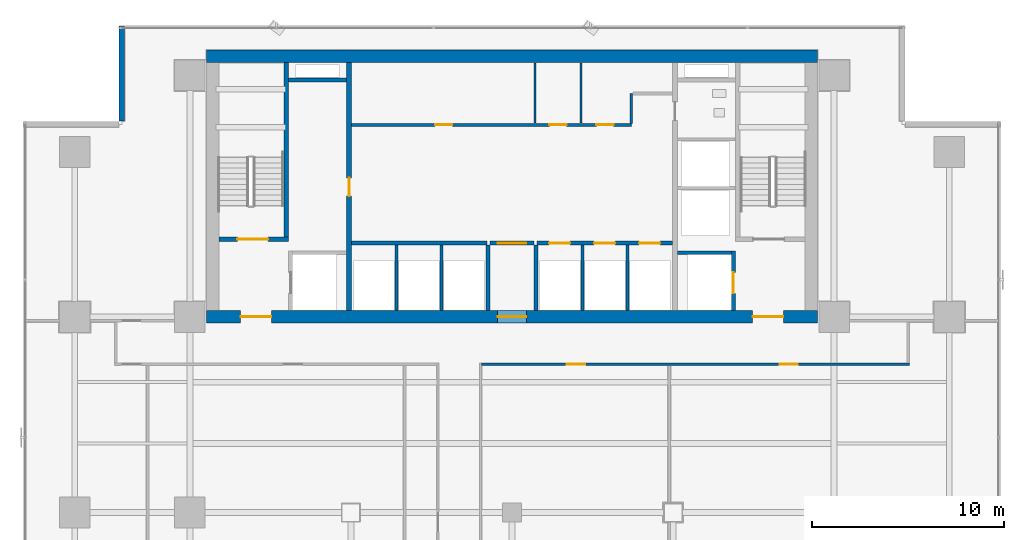
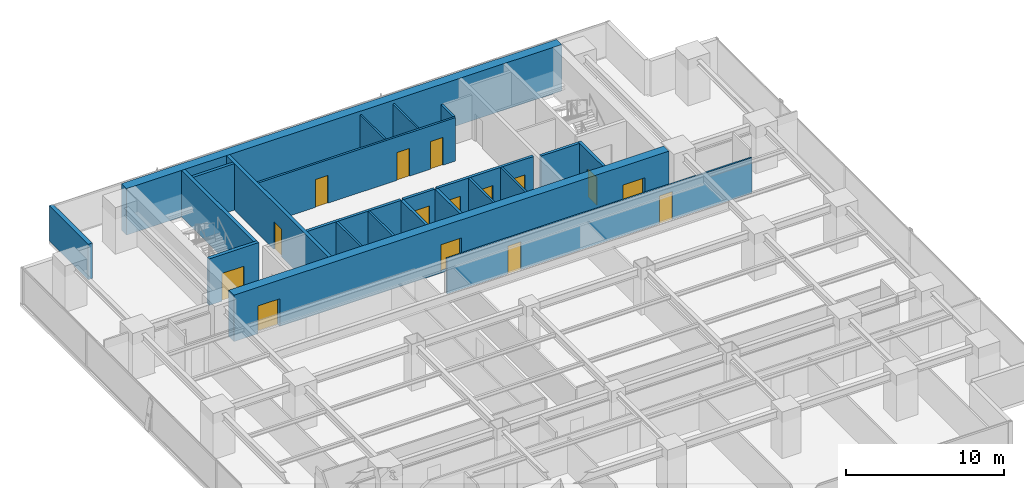
# One storey, part 29 of 37: 23 walls, 15 doors, 15 openings.
"""IFC4 building model written with IfcOpenShell, lengths in metres."""

from ifc_helpers import new_model, si_unit, direction, frame, frame_2d, origin, place, context, subcontext, project, spatial, rectangle, extrude, source, transform, mapped, material, layer, layer_set, type_object, element, fill, save


model = new_model("IFC4")

# Units and contexts
model_context = context("Model", 3, precision=1e-05, world=origin(), true_north=direction((0.0, 1.0)))
body_context = subcontext(model_context, "Body", "Model", "MODEL_VIEW")
ifc_project = project(units=[si_unit("LENGTHUNIT", "METRE"), si_unit("AREAUNIT", "SQUARE_METRE"), si_unit("VOLUMEUNIT", "CUBIC_METRE"), si_unit("PLANEANGLEUNIT", "RADIAN"), si_unit("MASSUNIT", "GRAM", prefix="KILO")], contexts=[model_context])

# Site, building, storey
site_placement = place(None, origin())
site = spatial("IfcSite", under=ifc_project, at=site_placement, CompositionType="ELEMENT")
building_placement = place(site_placement, origin())
building = spatial("IfcBuilding", under=site, at=building_placement, Name="Sumidabori Civic Tower", CompositionType="ELEMENT")
storey_placement = place(building_placement, frame((0.0, 0.0, 81.199951171875)))
storey = spatial("IfcBuildingStorey", under=building, at=storey_placement, Name="L20", CompositionType="ELEMENT", Elevation=81.199951171875)

# Walls
ifc_material_1 = material(Name="Concrete C50/60", Category="concrete")
ifc_layer_1 = layer(ifc_material_1, 0.199951171875, Name="Concrete C50/60")
ifc_layer_set_1 = layer_set([ifc_layer_1], Name="Concrete C50/60")
wall_type_1 = type_object("IfcWallType", Name="WL-SHAFT-200", PredefinedType="SHEAR", material=ifc_layer_set_1)
shared_shape_1 = source(origin(), body_context, "Body", "SweptSolid", [
    extrude(rectangle(XDim=2.824951171875, YDim=0.199951171875, at=frame_2d((1.41259765625, 0.0))), origin(), (0.0, 0.0, 1.0), 3.60009765625),
])
wall_1_placement = place(storey_placement, frame((8.625, 13.550048828125, 0.0), z_axis=(0.0, 0.0, 1.0), x_axis=(1.0, 0.0, 0.0)))
element("IfcWall", 1, at=wall_1_placement, inside=storey, type_object=wall_type_1, Name="Core Shear Wall L20 EL2-N", PredefinedType="SHEAR", context=body_context, shape_type="MappedRepresentation", body=[
    mapped(shared_shape_1, transform((0.0, 0.0, 0.0), x_axis=(1.0, 0.0, 0.0), y_axis=(0.0, 1.0, 0.0), z_axis=(0.0, 0.0, 1.0), scale=1.0)),
])
shared_shape_2 = source(origin(), body_context, "Body", "SweptSolid", [
    extrude(rectangle(XDim=3.02001953125, YDim=0.199951171875, at=frame_2d((1.510009765625, 0.0))), origin(), (0.0, 0.0, 1.0), 3.60009765625),
])
wall_2_placement = place(storey_placement, frame((-11.64501953125, 22.550048828125, 0.0), z_axis=(0.0, 0.0, 1.0), x_axis=(1.0, 0.0, 0.0)))
element("IfcWall", 2, at=wall_2_placement, inside=storey, type_object=wall_type_1, Name="Core Shear Wall L20 RIS1-S", PredefinedType="SHEAR", context=body_context, shape_type="MappedRepresentation", body=[
    mapped(shared_shape_2, transform((0.0, 0.0, 0.0), x_axis=(1.0, 0.0, 0.0), y_axis=(0.0, 1.0, 0.0), z_axis=(0.0, 0.0, 1.0), scale=1.0)),
])
ifc_material_2 = material(Name="Concrete C60/75", Category="concrete")
ifc_layer_2 = layer(ifc_material_2, 0.64990234375, Name="Concrete C60/75")
ifc_layer_set_2 = layer_set([ifc_layer_2], Name="Concrete C60/75")
wall_type_2 = type_object("IfcWallType", Name="WL-CORE-650", PredefinedType="SHEAR", material=ifc_layer_set_2)
shared_shape_3 = source(origin(), body_context, "Body", "SweptSolid", [
    extrude(rectangle(XDim=31.85009765625, YDim=0.64990234375, at=frame_2d((15.925048828125, 0.0))), origin(), (0.0, 0.0, 1.0), 3.60009765625),
])
wall_3_placement = place(storey_placement, frame((-15.925048828125, 23.800048828125, 0.0), z_axis=(0.0, 0.0, 1.0), x_axis=(1.0, 0.0, 0.0)))
element("IfcWall", 3, at=wall_3_placement, inside=storey, type_object=wall_type_2, Name="Core Shear Wall L20 N", PredefinedType="SHEAR", context=body_context, shape_type="MappedRepresentation", body=[
    mapped(shared_shape_3, transform((0.0, 0.0, 0.0), x_axis=(1.0, 0.0, 0.0), y_axis=(0.0, 1.0, 0.0), z_axis=(0.0, 0.0, 1.0), scale=1.0)),
])

# Wall, openings, doors
wall_4_placement = place(storey_placement, frame((-15.925048828125, 10.199951171875, 0.0), z_axis=(0.0, 0.0, 1.0), x_axis=(1.0, 0.0, 0.0)))
wall_4 = element("IfcWall", 4, at=wall_4_placement, inside=storey, type_object=wall_type_2, Name="Core Shear Wall L20 S", PredefinedType="SHEAR", context=body_context, shape_type="MappedRepresentation", body=[
    mapped(shared_shape_3, transform((0.0, 0.0, 0.0), x_axis=(1.0, 0.0, 0.0), y_axis=(0.0, 1.0, 0.0), z_axis=(0.0, 0.0, 1.0), scale=1.0)),
])
opening_1_placement = place(wall_4_placement, frame((1.77490234375, 0.0, 0.0)))
opening_1 = element("IfcOpeningElement", 5, at=opening_1_placement, cuts=wall_4, Name="Opening DR-FD4", PredefinedType="OPENING", context=body_context, shape_type="SweptSolid", body=[
    extrude(rectangle(XDim=1.60009765625, YDim=2.14990234375, at=frame_2d((0.800048828125, 1.074951171875))), frame((0.0, 0.3369140625, 0.0), z_axis=(0.0, -1.0, 0.0), x_axis=(1.0, 0.0, 0.0)), (0.0, 0.0, 1.0), 0.673828125),
])
opening_2_placement = place(wall_4_placement, frame((28.47509765625, 0.0, 0.0)))
opening_2 = element("IfcOpeningElement", 6, at=opening_2_placement, cuts=wall_4, Name="Opening DR-FD4", PredefinedType="OPENING", context=body_context, shape_type="SweptSolid", body=[
    extrude(rectangle(XDim=1.60009765625, YDim=2.14990234375, at=frame_2d((0.800048828125, 1.074951171875))), frame((0.0, 0.3369140625, 0.0), z_axis=(0.0, -1.0, 0.0), x_axis=(1.0, 0.0, 0.0)), (0.0, 0.0, 1.0), 0.673828125),
])
opening_3_placement = place(wall_4_placement, frame((15.175048828125, 0.0, 0.0)))
opening_3 = element("IfcOpeningElement", 7, at=opening_3_placement, cuts=wall_4, Name="Opening DR-FD3", PredefinedType="OPENING", context=body_context, shape_type="SweptSolid", body=[
    extrude(rectangle(XDim=1.5, YDim=2.199951171875, at=frame_2d((0.75, 1.10009765625))), frame((0.0, 0.3369140625, 0.0), z_axis=(0.0, -1.0, 0.0), x_axis=(1.0, 0.0, 0.0)), (0.0, 0.0, 1.0), 0.673828125),
])
ifc_material_3 = material(Name="Steel SN490", Category="steel")
door_type_1 = type_object("IfcDoorType", Name="DR-FD4", OperationType="DOUBLE_DOOR_SINGLE_SWING", PredefinedType="DOOR", material=ifc_material_3)
shared_shape_4 = source(origin(), body_context, "Body", "SweptSolid", [
    extrude(rectangle(XDim=1.60009765625, YDim=2.14990234375, at=frame_2d((0.800048828125, 1.074951171875))), frame((0.0, 0.02490234375, 0.0), z_axis=(0.0, -1.0, 0.0), x_axis=(1.0, 0.0, 0.0)), (0.0, 0.0, 1.0), 0.050048828125),
])
door_1_placement = place(opening_1_placement, origin())
door_1 = element("IfcDoor", 8, at=door_1_placement, inside=storey, type_object=door_type_1, Name="Door DR:L20:ELOB-W", OperationType="DOUBLE_DOOR_SINGLE_SWING", OverallHeight=2.14990234375, OverallWidth=1.60009765625, PredefinedType="DOOR", context=body_context, shape_type="MappedRepresentation", body=[
    mapped(shared_shape_4, transform((0.0, 0.0, 0.0), x_axis=(1.0, 0.0, 0.0), y_axis=(0.0, 1.0, 0.0), z_axis=(0.0, 0.0, 1.0), scale=1.0)),
])
fill(opening_1, door_1)
door_2_placement = place(opening_2_placement, origin())
door_2 = element("IfcDoor", 9, at=door_2_placement, inside=storey, type_object=door_type_1, Name="Door DR:L20:ELOB-E", OperationType="DOUBLE_DOOR_SINGLE_SWING", OverallHeight=2.14990234375, OverallWidth=1.60009765625, PredefinedType="DOOR", context=body_context, shape_type="MappedRepresentation", body=[
    mapped(shared_shape_4, transform((0.0, 0.0, 0.0), x_axis=(1.0, 0.0, 0.0), y_axis=(0.0, 1.0, 0.0), z_axis=(0.0, 0.0, 1.0), scale=1.0)),
])
fill(opening_2, door_2)
door_type_2 = type_object("IfcDoorType", Name="DR-FD-DBL", OperationType="DOUBLE_DOOR_SINGLE_SWING", PredefinedType="DOOR", material=ifc_material_3)
shared_shape_5 = source(origin(), body_context, "Body", "SweptSolid", [
    extrude(rectangle(XDim=1.5, YDim=2.199951171875, at=frame_2d((0.75, 1.10009765625))), frame((0.0, 0.02490234375, 0.0), z_axis=(0.0, -1.0, 0.0), x_axis=(1.0, 0.0, 0.0)), (0.0, 0.0, 1.0), 0.050048828125),
])
door_3_placement = place(opening_3_placement, origin())
door_3 = element("IfcDoor", 10, at=door_3_placement, inside=storey, type_object=door_type_2, Name="Door DR:L20:THROAT-OUT", OperationType="DOUBLE_DOOR_SINGLE_SWING", OverallHeight=2.199951171875, OverallWidth=1.5, PredefinedType="DOOR", context=body_context, shape_type="MappedRepresentation", body=[
    mapped(shared_shape_5, transform((0.0, 0.0, 0.0), x_axis=(1.0, 0.0, 0.0), y_axis=(0.0, 1.0, 0.0), z_axis=(0.0, 0.0, 1.0), scale=1.0)),
])
fill(opening_3, door_3)

# Wall, opening, door
ifc_layer_3 = layer(ifc_material_1, 0.25, Name="Concrete C50/60")
ifc_layer_set_3 = layer_set([ifc_layer_3], Name="Concrete C50/60")
wall_type_3 = type_object("IfcWallType", Name="WL-SHAFT-250", PredefinedType="SHEAR", material=ifc_layer_set_3)
shared_shape_6 = source(origin(), body_context, "Body", "SweptSolid", [
    extrude(rectangle(XDim=12.9501953125, YDim=0.25, at=frame_2d((6.47509765625, 0.0))), origin(), (0.0, 0.0, 1.0), 3.60009765625),
])
wall_5_placement = place(storey_placement, frame((-8.5, 10.52490234375, 0.0), z_axis=(0.0, 0.0, 1.0), x_axis=(0.0, 1.0, 0.0)))
wall_5 = element("IfcWall", 11, at=wall_5_placement, inside=storey, type_object=wall_type_3, Name="Core Shear Wall L20 WEB-W", PredefinedType="SHEAR", context=body_context, shape_type="MappedRepresentation", body=[
    mapped(shared_shape_6, transform((0.0, 0.0, 0.0), x_axis=(1.0, 0.0, 0.0), y_axis=(0.0, 1.0, 0.0), z_axis=(0.0, 0.0, 1.0), scale=1.0)),
])
opening_4_placement = place(wall_5_placement, frame((5.97509765625, 0.0, 0.0)))
opening_4 = element("IfcOpeningElement", 12, at=opening_4_placement, cuts=wall_5, Name="Opening DR-FD2", PredefinedType="OPENING", context=body_context, shape_type="SweptSolid", body=[
    extrude(rectangle(XDim=0.949951171875, YDim=2.14990234375, at=frame_2d((0.47509765625, 1.074951171875))), frame((0.0, 0.136962890625, 0.0), z_axis=(0.0, -1.0, 0.0), x_axis=(1.0, 0.0, 0.0)), (0.0, 0.0, 1.0), 0.27392578125),
])
door_type_3 = type_object("IfcDoorType", Name="DR-FD2", OperationType="NOTDEFINED", PredefinedType="DOOR", material=ifc_material_3)
shared_shape_7 = source(origin(), body_context, "Body", "SweptSolid", [
    extrude(rectangle(XDim=0.949951171875, YDim=2.14990234375, at=frame_2d((0.47509765625, 1.074951171875))), frame((0.0, 0.02490234375, 0.0), z_axis=(0.0, -1.0, 0.0), x_axis=(1.0, 0.0, 0.0)), (0.0, 0.0, 1.0), 0.050048828125),
])
door_4_placement = place(opening_4_placement, origin())
door_4 = element("IfcDoor", 13, at=door_4_placement, inside=storey, type_object=door_type_3, Name="Door DR:L20:CW-STR", OperationType="SINGLE_SWING_LEFT", OverallHeight=2.14990234375, OverallWidth=0.949951171875, PredefinedType="DOOR", context=body_context, shape_type="MappedRepresentation", body=[
    mapped(shared_shape_7, transform((0.0, 0.0, 0.0), x_axis=(1.0, 0.0, 0.0), y_axis=(0.0, 1.0, 0.0), z_axis=(0.0, 0.0, 1.0), scale=1.0)),
])
fill(opening_4, door_4)

shared_shape_8 = source(origin(), body_context, "Body", "SweptSolid", [
    extrude(rectangle(XDim=3.6298828125, YDim=0.25, at=frame_2d((1.81494140625, 0.0))), origin(), (0.0, 0.0, 1.0), 3.60009765625),
])
wall_6_placement = place(storey_placement, frame((-15.27490234375, 14.25, 0.0), z_axis=(0.0, 0.0, 1.0), x_axis=(1.0, 0.0, 0.0)))
wall_6 = element("IfcWall", 14, at=wall_6_placement, inside=storey, type_object=wall_type_3, Name="Core Shear Wall L20 ST1-S", PredefinedType="SHEAR", context=body_context, shape_type="MappedRepresentation", body=[
    mapped(shared_shape_8, transform((0.0, 0.0, 0.0), x_axis=(1.0, 0.0, 0.0), y_axis=(0.0, 1.0, 0.0), z_axis=(0.0, 0.0, 1.0), scale=1.0)),
])
opening_5_placement = place(wall_6_placement, frame((0.949951171875, 0.0, 0.0)))
opening_5 = element("IfcOpeningElement", 15, at=opening_5_placement, cuts=wall_6, Name="Opening DR-FD4", PredefinedType="OPENING", context=body_context, shape_type="SweptSolid", body=[
    extrude(rectangle(XDim=1.60009765625, YDim=2.14990234375, at=frame_2d((0.800048828125, 1.074951171875))), frame((0.0, 0.136962890625, 0.0), z_axis=(0.0, -1.0, 0.0), x_axis=(1.0, 0.0, 0.0)), (0.0, 0.0, 1.0), 0.27392578125),
])
door_5_placement = place(opening_5_placement, origin())
door_5 = element("IfcDoor", 16, at=door_5_placement, inside=storey, type_object=door_type_1, Name="Door DR:L20:ST1", OperationType="DOUBLE_DOOR_SINGLE_SWING", OverallHeight=2.14990234375, OverallWidth=1.60009765625, PredefinedType="DOOR", context=body_context, shape_type="MappedRepresentation", body=[
    mapped(shared_shape_4, transform((0.0, 0.0, 0.0), x_axis=(1.0, 0.0, 0.0), y_axis=(0.0, 1.0, 0.0), z_axis=(0.0, 0.0, 1.0), scale=1.0)),
])
fill(opening_5, door_5)

# Wall
shared_shape_9 = source(origin(), body_context, "Body", "SweptSolid", [
    extrude(rectangle(XDim=9.10009765625, YDim=0.25, at=frame_2d((4.550048828125, 0.0))), origin(), (0.0, 0.0, 1.0), 3.60009765625),
])
wall_7_placement = place(storey_placement, frame((-11.77001953125, 14.375, 0.0), z_axis=(0.0, 0.0, 1.0), x_axis=(0.0, 1.0, 0.0)))
element("IfcWall", 17, at=wall_7_placement, inside=storey, type_object=wall_type_3, Name="Core Shear Wall L20 ST1-E", PredefinedType="SHEAR", context=body_context, shape_type="MappedRepresentation", body=[
    mapped(shared_shape_9, transform((0.0, 0.0, 0.0), x_axis=(1.0, 0.0, 0.0), y_axis=(0.0, 1.0, 0.0), z_axis=(0.0, 0.0, 1.0), scale=1.0)),
])

# Wall, opening, door
shared_shape_10 = source(origin(), body_context, "Body", "SweptSolid", [
    extrude(rectangle(XDim=3.125, YDim=0.199951171875, at=frame_2d((1.5625, 0.0))), origin(), (0.0, 0.0, 1.0), 3.60009765625),
])
wall_8_placement = place(storey_placement, frame((11.550048828125, 10.52490234375, 0.0), z_axis=(0.0, 0.0, 1.0), x_axis=(0.0, 1.0, 0.0)))
wall_8 = element("IfcWall", 18, at=wall_8_placement, inside=storey, type_object=wall_type_1, Name="Core Shear Wall L20 EL2-E", PredefinedType="SHEAR", context=body_context, shape_type="MappedRepresentation", body=[
    mapped(shared_shape_10, transform((0.0, 0.0, 0.0), x_axis=(1.0, 0.0, 0.0), y_axis=(0.0, 1.0, 0.0), z_axis=(0.0, 0.0, 1.0), scale=1.0)),
])
opening_6_placement = place(wall_8_placement, frame((0.89990234375, 0.0, 0.0)))
opening_6 = element("IfcOpeningElement", 19, at=opening_6_placement, cuts=wall_8, Name="Opening LD-2", PredefinedType="OPENING", context=body_context, shape_type="SweptSolid", body=[
    extrude(rectangle(XDim=1.10009765625, YDim=2.14990234375, at=frame_2d((0.550048828125, 1.074951171875))), frame((0.0, 0.11181640625, 0.0), z_axis=(0.0, -1.0, 0.0), x_axis=(1.0, 0.0, 0.0)), (0.0, 0.0, 1.0), 0.223876953125),
])
ifc_material_4 = material(Name="Stainless Steel Hairline Finish", Category="steel")
door_type_4 = type_object("IfcDoorType", Name="DR-LD2", OperationType="DOUBLE_DOOR_SLIDING", PredefinedType="DOOR", material=ifc_material_4)
shared_shape_11 = source(origin(), body_context, "Body", "SweptSolid", [
    extrude(rectangle(XDim=1.10009765625, YDim=2.14990234375, at=frame_2d((0.550048828125, 1.074951171875))), frame((0.0, 0.02490234375, 0.0), z_axis=(0.0, -1.0, 0.0), x_axis=(1.0, 0.0, 0.0)), (0.0, 0.0, 1.0), 0.050048828125),
])
door_6_placement = place(opening_6_placement, origin())
door_6 = element("IfcDoor", 20, at=door_6_placement, inside=storey, type_object=door_type_4, Name="Door DR:L20:LD-EL2", OperationType="DOUBLE_DOOR_SLIDING", OverallHeight=2.14990234375, OverallWidth=1.10009765625, PredefinedType="DOOR", context=body_context, shape_type="MappedRepresentation", body=[
    mapped(shared_shape_11, transform((0.0, 0.0, 0.0), x_axis=(1.0, 0.0, 0.0), y_axis=(0.0, 1.0, 0.0), z_axis=(0.0, 0.0, 1.0), scale=1.0)),
])
fill(opening_6, door_6)

# Walls
ifc_material_5 = material(Name="Precast concrete C40/50", Category="concrete")
ifc_layer_4 = layer(ifc_material_5, 0.300048828125, Name="Precast concrete C40/50")
ifc_layer_set_4 = layer_set([ifc_layer_4], Name="Precast concrete C40/50")
wall_type_4 = type_object("IfcWallType", Name="WL-EXT-POD300", PredefinedType="STANDARD", material=ifc_layer_set_4)
shared_shape_12 = source(origin(), body_context, "Body", "SweptSolid", [
    extrude(rectangle(XDim=4.9599609375, YDim=0.300048828125, at=frame_2d((2.47998046875, 0.0))), origin(), (0.0, 0.0, 1.0), 2.739990234375),
])
wall_9_placement = place(storey_placement, frame((-20.35009765625, 25.3798828125, 0.0), z_axis=(0.0, 0.0, 1.0), x_axis=(0.0, -1.0, 0.0)))
element("IfcWall", 21, at=wall_9_placement, inside=storey, type_object=wall_type_4, Name="Notched Corner Spandrel Band L20-08", PredefinedType="STANDARD", context=body_context, shape_type="MappedRepresentation", body=[
    mapped(shared_shape_12, transform((0.0, 0.0, 0.0), x_axis=(1.0, 0.0, 0.0), y_axis=(0.0, 1.0, 0.0), z_axis=(0.0, 0.0, 1.0), scale=1.0)),
])
ifc_material_6 = material(Name="Gypsum Plasterboard Fire Partition")
ifc_layer_5 = layer(ifc_material_6, 0.199951171875, Name="Gypsum Plasterboard Fire Partition")
ifc_layer_set_5 = layer_set([ifc_layer_5], Name="Gypsum Plasterboard Fire Partition")
wall_type_5 = type_object("IfcWallType", Name="WL-PART-FIRE", PredefinedType="PARTITIONING", material=ifc_layer_set_5)
shared_shape_13 = source(origin(), body_context, "Body", "SweptSolid", [
    extrude(rectangle(XDim=7.070068359375, YDim=0.199951171875, at=frame_2d((3.53515625, 0.0))), origin(), (0.0, 0.0, 1.0), 3.360107421875),
])
wall_10_placement = place(storey_placement, frame((-8.3701171875, 14.050048828125, 0.0), z_axis=(0.0, 0.0, 1.0), x_axis=(1.0, 0.0, 0.0)))
element("IfcWall", 22, at=wall_10_placement, inside=storey, type_object=wall_type_5, Name="Interior Partition WL:L20:CBAND-SW", PredefinedType="PARTITIONING", context=body_context, shape_type="MappedRepresentation", body=[
    mapped(shared_shape_13, transform((0.0, 0.0, 0.0), x_axis=(1.0, 0.0, 0.0), y_axis=(0.0, 1.0, 0.0), z_axis=(0.0, 0.0, 1.0), scale=1.0)),
])

# Wall, openings, doors
wall_11_placement = place(storey_placement, frame((1.300048828125, 14.050048828125, 0.0), z_axis=(0.0, 0.0, 1.0), x_axis=(1.0, 0.0, 0.0)))
wall_11 = element("IfcWall", 23, at=wall_11_placement, inside=storey, type_object=wall_type_5, Name="Interior Partition WL:L20:CBAND-SE", PredefinedType="PARTITIONING", context=body_context, shape_type="MappedRepresentation", body=[
    mapped(shared_shape_13, transform((0.0, 0.0, 0.0), x_axis=(1.0, 0.0, 0.0), y_axis=(0.0, 1.0, 0.0), z_axis=(0.0, 0.0, 1.0), scale=1.0)),
])
opening_7_placement = place(wall_11_placement, frame((0.6298828125, 0.0, 0.0)))
opening_7 = element("IfcOpeningElement", 24, at=opening_7_placement, cuts=wall_11, Name="Opening LD-1", PredefinedType="OPENING", context=body_context, shape_type="SweptSolid", body=[
    extrude(rectangle(XDim=1.10009765625, YDim=2.14990234375, at=frame_2d((0.550048828125, 1.074951171875))), frame((0.0, 0.11181640625, 0.0), z_axis=(0.0, -1.0, 0.0), x_axis=(1.0, 0.0, 0.0)), (0.0, 0.0, 1.0), 0.223876953125),
])
opening_8_placement = place(wall_11_placement, frame((2.97998046875, 0.0, 0.0)))
opening_8 = element("IfcOpeningElement", 25, at=opening_8_placement, cuts=wall_11, Name="Opening LD-1", PredefinedType="OPENING", context=body_context, shape_type="SweptSolid", body=[
    extrude(rectangle(XDim=1.10009765625, YDim=2.14990234375, at=frame_2d((0.550048828125, 1.074951171875))), frame((0.0, 0.11181640625, 0.0), z_axis=(0.0, -1.0, 0.0), x_axis=(1.0, 0.0, 0.0)), (0.0, 0.0, 1.0), 0.223876953125),
])
opening_9_placement = place(wall_11_placement, frame((5.330078125, 0.0, 0.0)))
opening_9 = element("IfcOpeningElement", 26, at=opening_9_placement, cuts=wall_11, Name="Opening LD-1", PredefinedType="OPENING", context=body_context, shape_type="SweptSolid", body=[
    extrude(rectangle(XDim=1.10009765625, YDim=2.14990234375, at=frame_2d((0.550048828125, 1.074951171875))), frame((0.0, 0.11181640625, 0.0), z_axis=(0.0, -1.0, 0.0), x_axis=(1.0, 0.0, 0.0)), (0.0, 0.0, 1.0), 0.223876953125),
])
door_type_5 = type_object("IfcDoorType", Name="DR-LD1", OperationType="DOUBLE_DOOR_SLIDING", PredefinedType="DOOR", material=ifc_material_4)
door_7_placement = place(opening_7_placement, origin())
door_7 = element("IfcDoor", 27, at=door_7_placement, inside=storey, type_object=door_type_5, Name="Door DR:L20:LD-PLM1", OperationType="DOUBLE_DOOR_SLIDING", OverallHeight=2.14990234375, OverallWidth=1.10009765625, PredefinedType="DOOR", context=body_context, shape_type="MappedRepresentation", body=[
    mapped(shared_shape_11, transform((0.0, 0.0, 0.0), x_axis=(1.0, 0.0, 0.0), y_axis=(0.0, 1.0, 0.0), z_axis=(0.0, 0.0, 1.0), scale=1.0)),
])
fill(opening_7, door_7)
door_8_placement = place(opening_8_placement, origin())
door_8 = element("IfcDoor", 28, at=door_8_placement, inside=storey, type_object=door_type_5, Name="Door DR:L20:LD-PLM2", OperationType="DOUBLE_DOOR_SLIDING", OverallHeight=2.14990234375, OverallWidth=1.10009765625, PredefinedType="DOOR", context=body_context, shape_type="MappedRepresentation", body=[
    mapped(shared_shape_11, transform((0.0, 0.0, 0.0), x_axis=(1.0, 0.0, 0.0), y_axis=(0.0, 1.0, 0.0), z_axis=(0.0, 0.0, 1.0), scale=1.0)),
])
fill(opening_8, door_8)
door_9_placement = place(opening_9_placement, origin())
door_9 = element("IfcDoor", 29, at=door_9_placement, inside=storey, type_object=door_type_5, Name="Door DR:L20:LD-PLM3", OperationType="DOUBLE_DOOR_SLIDING", OverallHeight=2.14990234375, OverallWidth=1.10009765625, PredefinedType="DOOR", context=body_context, shape_type="MappedRepresentation", body=[
    mapped(shared_shape_11, transform((0.0, 0.0, 0.0), x_axis=(1.0, 0.0, 0.0), y_axis=(0.0, 1.0, 0.0), z_axis=(0.0, 0.0, 1.0), scale=1.0)),
])
fill(opening_9, door_9)

# Wall, opening, door
shared_shape_14 = source(origin(), body_context, "Body", "SweptSolid", [
    extrude(rectangle(XDim=2.2998046875, YDim=0.199951171875, at=frame_2d((1.14990234375, 0.0))), origin(), (0.0, 0.0, 1.0), 3.360107421875),
])
wall_12_placement = place(storey_placement, frame((-1.14990234375, 14.050048828125, 0.0), z_axis=(0.0, 0.0, 1.0), x_axis=(1.0, 0.0, 0.0)))
wall_12 = element("IfcWall", 30, at=wall_12_placement, inside=storey, type_object=wall_type_5, Name="Interior Partition WL:L20:THROAT-N", PredefinedType="PARTITIONING", context=body_context, shape_type="MappedRepresentation", body=[
    mapped(shared_shape_14, transform((0.0, 0.0, 0.0), x_axis=(1.0, 0.0, 0.0), y_axis=(0.0, 1.0, 0.0), z_axis=(0.0, 0.0, 1.0), scale=1.0)),
])
opening_10_placement = place(wall_12_placement, frame((0.39990234375, 0.0, 0.0)))
opening_10 = element("IfcOpeningElement", 31, at=opening_10_placement, cuts=wall_12, Name="Opening DR-FD3", PredefinedType="OPENING", context=body_context, shape_type="SweptSolid", body=[
    extrude(rectangle(XDim=1.5, YDim=2.199951171875, at=frame_2d((0.75, 1.10009765625))), frame((0.0, 0.11181640625, 0.0), z_axis=(0.0, -1.0, 0.0), x_axis=(1.0, 0.0, 0.0)), (0.0, 0.0, 1.0), 0.223876953125),
])
door_10_placement = place(opening_10_placement, origin())
door_10 = element("IfcDoor", 32, at=door_10_placement, inside=storey, type_object=door_type_2, Name="Door DR:L20:THROAT-IN", OperationType="DOUBLE_DOOR_SINGLE_SWING", OverallHeight=2.199951171875, OverallWidth=1.5, PredefinedType="DOOR", context=body_context, shape_type="MappedRepresentation", body=[
    mapped(shared_shape_5, transform((0.0, 0.0, 0.0), x_axis=(1.0, 0.0, 0.0), y_axis=(0.0, 1.0, 0.0), z_axis=(0.0, 0.0, 1.0), scale=1.0)),
])
fill(opening_10, door_10)

# Wall, openings, doors
ifc_material_7 = material(Name="Gypsum Plasterboard Acoustic Partition")
ifc_layer_6 = layer(ifc_material_7, 0.14990234375, Name="Gypsum Plasterboard Acoustic Partition")
ifc_layer_set_6 = layer_set([ifc_layer_6], Name="Gypsum Plasterboard Acoustic Partition")
wall_type_6 = type_object("IfcWallType", Name="WL-PART-150", PredefinedType="PARTITIONING", material=ifc_layer_set_6)
shared_shape_15 = source(origin(), body_context, "Body", "SweptSolid", [
    extrude(rectangle(XDim=14.590087890625, YDim=0.14990234375, at=frame_2d((7.294921875, 0.0))), origin(), (0.0, 0.0, 1.0), 3.360107421875),
])
wall_13_placement = place(storey_placement, frame((-8.3701171875, 20.219970703125, 0.0), z_axis=(0.0, 0.0, 1.0), x_axis=(1.0, 0.0, 0.0)))
wall_13 = element("IfcWall", 33, at=wall_13_placement, inside=storey, type_object=wall_type_6, Name="Interior Partition WL:L20:CBAND-M", PredefinedType="PARTITIONING", context=body_context, shape_type="MappedRepresentation", body=[
    mapped(shared_shape_15, transform((0.0, 0.0, 0.0), x_axis=(1.0, 0.0, 0.0), y_axis=(0.0, 1.0, 0.0), z_axis=(0.0, 0.0, 1.0), scale=1.0)),
])
opening_11_placement = place(wall_13_placement, frame((4.360107421875, 0.0, 0.0)))
opening_11 = element("IfcOpeningElement", 34, at=opening_11_placement, cuts=wall_13, Name="Opening DR-1", PredefinedType="OPENING", context=body_context, shape_type="SweptSolid", body=[
    extrude(rectangle(XDim=0.89990234375, YDim=2.14990234375, at=frame_2d((0.449951171875, 1.074951171875))), frame((0.0, 0.0869140625, 0.0), z_axis=(0.0, -1.0, 0.0), x_axis=(1.0, 0.0, 0.0)), (0.0, 0.0, 1.0), 0.173828125),
])
opening_12_placement = place(wall_13_placement, frame((10.320068359375, 0.0, 0.0)))
opening_12 = element("IfcOpeningElement", 35, at=opening_12_placement, cuts=wall_13, Name="Opening DR-1", PredefinedType="OPENING", context=body_context, shape_type="SweptSolid", body=[
    extrude(rectangle(XDim=0.89990234375, YDim=2.14990234375, at=frame_2d((0.449951171875, 1.074951171875))), frame((0.0, 0.0869140625, 0.0), z_axis=(0.0, -1.0, 0.0), x_axis=(1.0, 0.0, 0.0)), (0.0, 0.0, 1.0), 0.173828125),
])
opening_13_placement = place(wall_13_placement, frame((12.77001953125, 0.0, 0.0)))
opening_13 = element("IfcOpeningElement", 36, at=opening_13_placement, cuts=wall_13, Name="Opening DR-1", PredefinedType="OPENING", context=body_context, shape_type="SweptSolid", body=[
    extrude(rectangle(XDim=0.89990234375, YDim=2.14990234375, at=frame_2d((0.449951171875, 1.074951171875))), frame((0.0, 0.0869140625, 0.0), z_axis=(0.0, -1.0, 0.0), x_axis=(1.0, 0.0, 0.0)), (0.0, 0.0, 1.0), 0.173828125),
])
ifc_material_8 = material(Name="Japanese Hinoki Timber", Category="wood")
door_type_6 = type_object("IfcDoorType", Name="DR-INT-900", OperationType="NOTDEFINED", PredefinedType="DOOR", material=ifc_material_8)
shared_shape_16 = source(origin(), body_context, "Body", "SweptSolid", [
    extrude(rectangle(XDim=0.89990234375, YDim=2.14990234375, at=frame_2d((0.449951171875, 1.074951171875))), frame((0.0, 0.02490234375, 0.0), z_axis=(0.0, -1.0, 0.0), x_axis=(1.0, 0.0, 0.0)), (0.0, 0.0, 1.0), 0.050048828125),
])
door_11_placement = place(opening_11_placement, origin())
door_11 = element("IfcDoor", 37, at=door_11_placement, inside=storey, type_object=door_type_6, Name="Door DR:L20:CB-1", OperationType="SINGLE_SWING_LEFT", OverallHeight=2.14990234375, OverallWidth=0.89990234375, PredefinedType="DOOR", context=body_context, shape_type="MappedRepresentation", body=[
    mapped(shared_shape_16, transform((0.0, 0.0, 0.0), x_axis=(1.0, 0.0, 0.0), y_axis=(0.0, 1.0, 0.0), z_axis=(0.0, 0.0, 1.0), scale=1.0)),
])
fill(opening_11, door_11)
door_12_placement = place(opening_12_placement, origin())
door_12 = element("IfcDoor", 38, at=door_12_placement, inside=storey, type_object=door_type_6, Name="Door DR:L20:CB-2", OperationType="SINGLE_SWING_RIGHT", OverallHeight=2.14990234375, OverallWidth=0.89990234375, PredefinedType="DOOR", context=body_context, shape_type="MappedRepresentation", body=[
    mapped(shared_shape_16, transform((0.0, 0.0, 0.0), x_axis=(1.0, 0.0, 0.0), y_axis=(0.0, 1.0, 0.0), z_axis=(0.0, 0.0, 1.0), scale=1.0)),
])
fill(opening_12, door_12)
door_13_placement = place(opening_13_placement, origin())
door_13 = element("IfcDoor", 39, at=door_13_placement, inside=storey, type_object=door_type_6, Name="Door DR:L20:CB-3", OperationType="SINGLE_SWING_LEFT", OverallHeight=2.14990234375, OverallWidth=0.89990234375, PredefinedType="DOOR", context=body_context, shape_type="MappedRepresentation", body=[
    mapped(shared_shape_16, transform((0.0, 0.0, 0.0), x_axis=(1.0, 0.0, 0.0), y_axis=(0.0, 1.0, 0.0), z_axis=(0.0, 0.0, 1.0), scale=1.0)),
])
fill(opening_13, door_13)

# Walls
shared_shape_17 = source(origin(), body_context, "Body", "SweptSolid", [
    extrude(rectangle(XDim=1.550048828125, YDim=0.14990234375, at=frame_2d((0.77490234375, 0.0))), origin(), (0.0, 0.0, 1.0), 3.360107421875),
])
wall_14_placement = place(storey_placement, frame((6.219970703125, 20.300048828125, 0.0), z_axis=(0.0, 0.0, 1.0), x_axis=(0.0, 1.0, 0.0)))
element("IfcWall", 40, at=wall_14_placement, inside=storey, type_object=wall_type_6, Name="Interior Partition WL:L20:CBAND-ME1", PredefinedType="PARTITIONING", context=body_context, shape_type="MappedRepresentation", body=[
    mapped(shared_shape_17, transform((0.0, 0.0, 0.0), x_axis=(1.0, 0.0, 0.0), y_axis=(0.0, 1.0, 0.0), z_axis=(0.0, 0.0, 1.0), scale=1.0)),
])
shared_shape_18 = source(origin(), body_context, "Body", "SweptSolid", [
    extrude(rectangle(XDim=3.4150390625, YDim=0.199951171875, at=frame_2d((1.70751953125, 0.0))), origin(), (0.0, 0.0, 1.0), 3.360107421875),
])
for number, where, z_axis, x_axis, name in (
    (41, (-1.25, 10.52490234375, 0.0), (0.0, 0.0, 1.0), (0.0, 1.0, 0.0), "Interior Partition WL:L20:THROAT-W"),
    (42, (1.25, 10.52490234375, 0.0), (0.0, 0.0, 1.0), (0.0, 1.0, 0.0), "Interior Partition WL:L20:THROAT-E"),
):
    element("IfcWall", number, at=place(storey_placement, frame(where, z_axis=z_axis, x_axis=x_axis)), inside=storey, type_object=wall_type_5, Name=name, PredefinedType="PARTITIONING", context=body_context, shape_type="MappedRepresentation", body=[
        mapped(shared_shape_18, transform((0.0, 0.0, 0.0), x_axis=(1.0, 0.0, 0.0), y_axis=(0.0, 1.0, 0.0), z_axis=(0.0, 0.0, 1.0), scale=1.0)),
    ])
shared_shape_19 = source(origin(), body_context, "Body", "SweptSolid", [
    extrude(rectangle(XDim=3.4150390625, YDim=0.14990234375, at=frame_2d((1.70751953125, 0.0))), origin(), (0.0, 0.0, 1.0), 3.360107421875),
])
for number, where, z_axis, x_axis, name in (
    (43, (-6.030029296875, 10.52490234375, 0.0), (0.0, 0.0, 1.0), (0.0, 1.0, 0.0), "Interior Partition WL:L20:DIV-PLL1"),
    (44, (-3.679931640625, 10.52490234375, 0.0), (0.0, 0.0, 1.0), (0.0, 1.0, 0.0), "Interior Partition WL:L20:DIV-PLL2"),
    (45, (3.669921875, 10.52490234375, 0.0), (0.0, 0.0, 1.0), (0.0, 1.0, 0.0), "Interior Partition WL:L20:DIV-PLM1"),
    (46, (6.02001953125, 10.52490234375, 0.0), (0.0, 0.0, 1.0), (0.0, 1.0, 0.0), "Interior Partition WL:L20:DIV-PLM2"),
):
    element("IfcWall", number, at=place(storey_placement, frame(where, z_axis=z_axis, x_axis=x_axis)), inside=storey, type_object=wall_type_6, Name=name, PredefinedType="PARTITIONING", context=body_context, shape_type="MappedRepresentation", body=[
        mapped(shared_shape_19, transform((0.0, 0.0, 0.0), x_axis=(1.0, 0.0, 0.0), y_axis=(0.0, 1.0, 0.0), z_axis=(0.0, 0.0, 1.0), scale=1.0)),
    ])
ifc_layer_7 = layer(ifc_material_7, 0.1201171875, Name="Gypsum Plasterboard Acoustic Partition")
ifc_layer_set_7 = layer_set([ifc_layer_7], Name="Gypsum Plasterboard Acoustic Partition")
wall_type_7 = type_object("IfcWallType", Name="WL-PART-120", PredefinedType="PARTITIONING", material=ifc_layer_set_7)
shared_shape_20 = source(origin(), body_context, "Body", "SweptSolid", [
    extrude(rectangle(XDim=3.114990234375, YDim=0.1201171875, at=frame_2d((1.5576171875, 0.0))), origin(), (0.0, 0.0, 1.0), 3.360107421875),
])
for number, where, z_axis, x_axis, name in (
    (47, (1.199951171875, 20.320068359375, 0.0), (0.0, 0.0, 1.0), (0.0, 1.0, 0.0), "Interior Partition WL:L20:LV8-S1"),
    (48, (3.60009765625, 20.320068359375, 0.0), (0.0, 0.0, 1.0), (0.0, 1.0, 0.0), "Interior Partition WL:L20:LV8-S2"),
):
    element("IfcWall", number, at=place(storey_placement, frame(where, z_axis=z_axis, x_axis=x_axis)), inside=storey, type_object=wall_type_7, Name=name, PredefinedType="PARTITIONING", context=body_context, shape_type="MappedRepresentation", body=[
        mapped(shared_shape_20, transform((0.0, 0.0, 0.0), x_axis=(1.0, 0.0, 0.0), y_axis=(0.0, 1.0, 0.0), z_axis=(0.0, 0.0, 1.0), scale=1.0)),
    ])

# Wall, openings, doors
shared_shape_21 = source(origin(), body_context, "Body", "SweptSolid", [
    extrude(rectangle(XDim=22.300048828125, YDim=0.1201171875, at=frame_2d((11.14990234375, 0.0))), origin(), (0.0, 0.0, 1.0), 2.7451171875),
])
wall_15_placement = place(storey_placement, frame((-1.580078125, 7.739990234375, 0.0), z_axis=(0.0, 0.0, 1.0), x_axis=(1.0, 0.0, 0.0)))
wall_15 = element("IfcWall", 49, at=wall_15_placement, inside=storey, type_object=wall_type_7, Name="Interior Partition WL:L20:CORR-SE", PredefinedType="PARTITIONING", context=body_context, shape_type="MappedRepresentation", body=[
    mapped(shared_shape_21, transform((0.0, 0.0, 0.0), x_axis=(1.0, 0.0, 0.0), y_axis=(0.0, 1.0, 0.0), z_axis=(0.0, 0.0, 1.0), scale=1.0)),
])
opening_14_placement = place(wall_15_placement, frame((4.445068359375, 0.0, 0.0)))
opening_14 = element("IfcOpeningElement", 50, at=opening_14_placement, cuts=wall_15, Name="Opening DR-2", PredefinedType="OPENING", context=body_context, shape_type="SweptSolid", body=[
    extrude(rectangle(XDim=0.949951171875, YDim=2.14990234375, at=frame_2d((0.47509765625, 1.074951171875))), frame((0.0, 0.072021484375, 0.0), z_axis=(0.0, -1.0, 0.0), x_axis=(1.0, 0.0, 0.0)), (0.0, 0.0, 1.0), 0.14404296875),
])
opening_15_placement = place(wall_15_placement, frame((15.534912109375, 0.0, 0.0)))
opening_15 = element("IfcOpeningElement", 51, at=opening_15_placement, cuts=wall_15, Name="Opening DR-2", PredefinedType="OPENING", context=body_context, shape_type="SweptSolid", body=[
    extrude(rectangle(XDim=0.949951171875, YDim=2.14990234375, at=frame_2d((0.47509765625, 1.074951171875))), frame((0.0, 0.072021484375, 0.0), z_axis=(0.0, -1.0, 0.0), x_axis=(1.0, 0.0, 0.0)), (0.0, 0.0, 1.0), 0.14404296875),
])
door_type_7 = type_object("IfcDoorType", Name="DR-INT-950", OperationType="NOTDEFINED", PredefinedType="DOOR", material=ifc_material_8)
shared_shape_22 = source(origin(), body_context, "Body", "SweptSolid", [
    extrude(rectangle(XDim=0.949951171875, YDim=2.14990234375, at=frame_2d((0.47509765625, 1.074951171875))), frame((0.0, 0.02490234375, 0.0), z_axis=(0.0, -1.0, 0.0), x_axis=(1.0, 0.0, 0.0)), (0.0, 0.0, 1.0), 0.050048828125),
])
door_14_placement = place(opening_14_placement, origin())
door_14 = element("IfcDoor", 52, at=door_14_placement, inside=storey, type_object=door_type_7, Name="Door DR:L20:D04", OperationType="SINGLE_SWING_RIGHT", OverallHeight=2.14990234375, OverallWidth=0.949951171875, PredefinedType="DOOR", context=body_context, shape_type="MappedRepresentation", body=[
    mapped(shared_shape_22, transform((0.0, 0.0, 0.0), x_axis=(1.0, 0.0, 0.0), y_axis=(0.0, 1.0, 0.0), z_axis=(0.0, 0.0, 1.0), scale=1.0)),
])
fill(opening_14, door_14)
door_15_placement = place(opening_15_placement, origin())
door_15 = element("IfcDoor", 53, at=door_15_placement, inside=storey, type_object=door_type_7, Name="Door DR:L20:D06", OperationType="SINGLE_SWING_RIGHT", OverallHeight=2.14990234375, OverallWidth=0.949951171875, PredefinedType="DOOR", context=body_context, shape_type="MappedRepresentation", body=[
    mapped(shared_shape_22, transform((0.0, 0.0, 0.0), x_axis=(1.0, 0.0, 0.0), y_axis=(0.0, 1.0, 0.0), z_axis=(0.0, 0.0, 1.0), scale=1.0)),
])
fill(opening_15, door_15)

save(model, "model.ifc")
